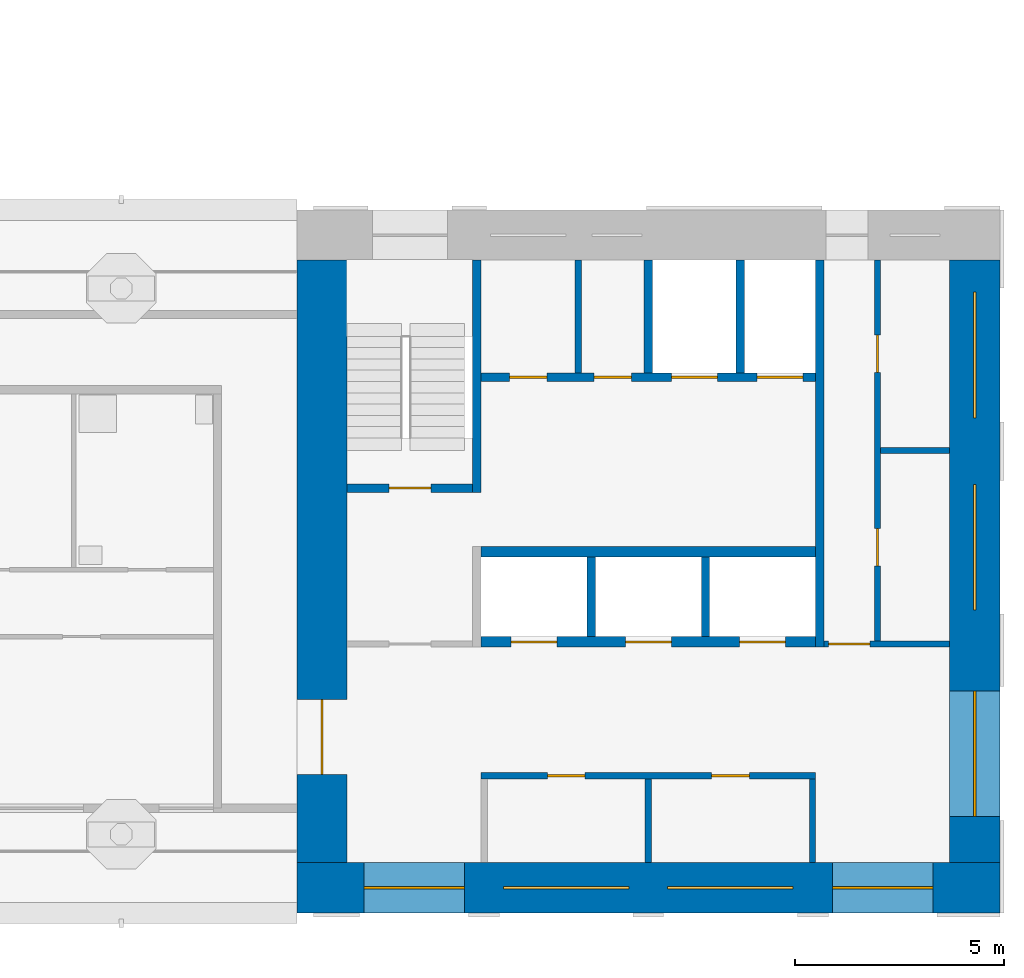
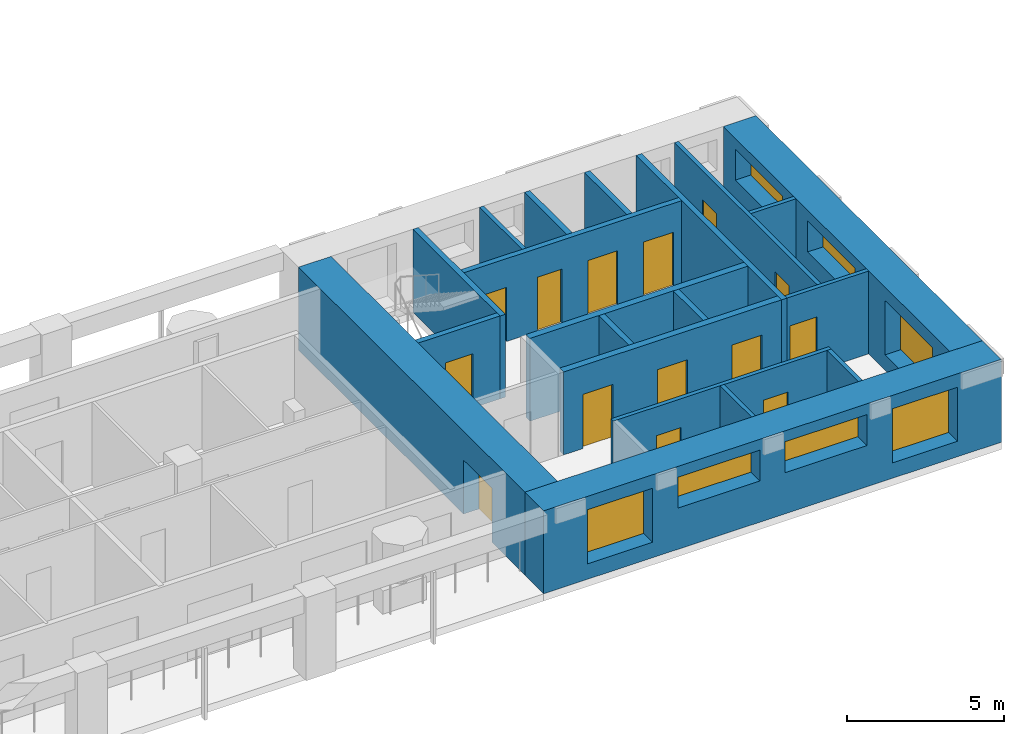
# One storey, part 4 of 11: 20 walls, 14 doors, 7 windows, 21 openings.
"""IFC4 building model written with IfcOpenShell, lengths in metres."""

from ifc_helpers import new_model, si_unit, direction, frame, frame_2d, origin, place, context, subcontext, project, spatial, rectangle, extrude, material, layer, layer_set, type_object, element, fill, save


model = new_model("IFC4")

# Units and contexts
model_context = context("Model", 3, precision=1e-05, world=origin(), true_north=direction((0.0, 1.0)))
body_context = subcontext(model_context, "Body", "Model", "MODEL_VIEW")
ifc_project = project(units=[si_unit("LENGTHUNIT", "METRE"), si_unit("AREAUNIT", "SQUARE_METRE"), si_unit("VOLUMEUNIT", "CUBIC_METRE"), si_unit("PLANEANGLEUNIT", "RADIAN"), si_unit("MASSUNIT", "GRAM", prefix="KILO")], contexts=[model_context])

# Site, building, storey
site_placement = place(None, origin())
site = spatial("IfcSite", under=ifc_project, at=site_placement, CompositionType="ELEMENT")
building_placement = place(site_placement, origin())
building = spatial("IfcBuilding", under=site, at=building_placement, Name="Vermilion Gate Residences", CompositionType="ELEMENT")
storey_placement = place(building_placement, frame((0.0, 0.0, 256.199951171875)))
storey = spatial("IfcBuildingStorey", under=building, at=storey_placement, Name="L67", CompositionType="ELEMENT", Elevation=256.199951171875)

# Walls
ifc_material_1 = material(Name="Masonry blockwork", Category="masonry")
ifc_layer_1 = layer(ifc_material_1, 0.14990234375)
ifc_layer_set_1 = layer_set([ifc_layer_1], Name="BLOCKWORK PARTITION 150 EI 120")
wall_type_1 = type_object("IfcWallType", Name="BLOCKWORK PARTITION 150 EI 120", PredefinedType="PARTITIONING", material=ifc_layer_set_1)
for number, where, z_axis, x_axis, name in (
    (1, (54.324951171875, 9.60009765625, 0.0), (0.0, 0.0, 1.0), (0.0, 1.0, 0.0), "Core room partition A67-RW-E"),
    (2, (50.39990234375, 9.60009765625, 0.0), (0.0, 0.0, 1.0), (0.0, 1.0, 0.0), "Core room partition A67-SR-P0"),
):
    element("IfcWall", number, at=place(storey_placement, frame(where, z_axis=z_axis, x_axis=x_axis)), inside=storey, type_object=wall_type_1, Name=name, PredefinedType="PARTITIONING", context=body_context, shape_type="SweptSolid", body=[
        extrude(rectangle(XDim=2.0, YDim=0.14990234375, at=frame_2d((1.0, 0.0))), origin(), (0.0, 0.0, 1.0), 3.219970703125),
    ])

# Wall, openings, doors
wall_1_placement = place(storey_placement, frame((46.39990234375, 11.675048828125, 0.0), z_axis=(0.0, 0.0, 1.0), x_axis=(1.0, 0.0, 0.0)))
wall_1 = element("IfcWall", 3, at=wall_1_placement, inside=storey, type_object=wall_type_1, Name="Core room partition A67-LR-F", PredefinedType="PARTITIONING", context=body_context, shape_type="SweptSolid", body=[
    extrude(rectangle(XDim=8.0, YDim=0.14990234375, at=frame_2d((4.0, 0.0))), origin(), (0.0, 0.0, 1.0), 3.219970703125),
])
opening_1_placement = place(wall_1_placement, frame((1.58740234375, 0.0, 0.0)))
opening_1 = element("IfcOpeningElement", 4, at=opening_1_placement, cuts=wall_1, Name="Opening DK67002", PredefinedType="OPENING", context=body_context, shape_type="SweptSolid", body=[
    extrude(rectangle(XDim=0.89990234375, YDim=2.10009765625, at=frame_2d((0.449951171875, 1.050048828125))), frame((0.0, 0.0849609375, 0.0), z_axis=(0.0, -1.0, 0.0), x_axis=(1.0, 0.0, 0.0)), (0.0, 0.0, 1.0), 0.169921875),
])
opening_2_placement = place(wall_1_placement, frame((5.512451171875, 0.0, 0.0)))
opening_2 = element("IfcOpeningElement", 5, at=opening_2_placement, cuts=wall_1, Name="Opening DK67003", PredefinedType="OPENING", context=body_context, shape_type="SweptSolid", body=[
    extrude(rectangle(XDim=0.89990234375, YDim=2.10009765625, at=frame_2d((0.449951171875, 1.050048828125))), frame((0.0, 0.0849609375, 0.0), z_axis=(0.0, -1.0, 0.0), x_axis=(1.0, 0.0, 0.0)), (0.0, 0.0, 1.0), 0.169921875),
])
ifc_material_2 = material(Name="Steel", Category="steel")
door_type_1 = type_object("IfcDoorType", Name="SERVICE ROOM DOOR FD60 900 X 2100", OperationType="SINGLE_SWING_LEFT", PredefinedType="DOOR", material=ifc_material_2)
door_1_placement = place(opening_1_placement, frame((0.89990234375, 0.0, 0.0), z_axis=(0.0, 0.0, 1.0), x_axis=(-1.0, 0.0, 0.0)))
door_1 = element("IfcDoor", 6, at=door_1_placement, inside=storey, type_object=door_type_1, Name="Housekeeping store A67", OperationType="SINGLE_SWING_RIGHT", OverallHeight=2.10009765625, OverallWidth=0.89990234375, PredefinedType="DOOR", context=body_context, shape_type="SweptSolid", body=[
    extrude(rectangle(XDim=0.89990234375, YDim=2.10009765625, at=frame_2d((0.449951171875, 1.050048828125))), frame((0.0, 0.02490234375, 0.0), z_axis=(0.0, -1.0, 0.0), x_axis=(1.0, 0.0, 0.0)), (0.0, 0.0, 1.0), 0.050048828125),
])
fill(opening_1, door_1)
door_2_placement = place(opening_2_placement, frame((0.89990234375, 0.0, 0.0), z_axis=(0.0, 0.0, 1.0), x_axis=(-1.0, 0.0, 0.0)))
door_2 = element("IfcDoor", 7, at=door_2_placement, inside=storey, type_object=door_type_1, Name="Fire equipment store A67", OperationType="SINGLE_SWING_RIGHT", OverallHeight=2.10009765625, OverallWidth=0.89990234375, PredefinedType="DOOR", context=body_context, shape_type="SweptSolid", body=[
    extrude(rectangle(XDim=0.89990234375, YDim=2.10009765625, at=frame_2d((0.449951171875, 1.050048828125))), frame((0.0, 0.02490234375, 0.0), z_axis=(0.0, -1.0, 0.0), x_axis=(1.0, 0.0, 0.0)), (0.0, 0.0, 1.0), 0.050048828125),
])
fill(opening_2, door_2)

# Wall
wall_2_placement = place(storey_placement, frame((48.72509765625, 21.300048828125, 0.0), z_axis=(0.0, 0.0, 1.0), x_axis=(0.0, 1.0, 0.0)))
element("IfcWall", 8, at=wall_2_placement, inside=storey, type_object=wall_type_1, Name="Core room partition A67-NR-P0", PredefinedType="PARTITIONING", context=body_context, shape_type="SweptSolid", body=[
    extrude(rectangle(XDim=2.699951171875, YDim=0.14990234375, at=frame_2d((1.35009765625, 0.0))), origin(), (0.0, 0.0, 1.0), 3.219970703125),
])

# Wall, opening, door
wall_3_placement = place(storey_placement, frame((54.60009765625, 14.824951171875, 0.0), z_axis=(0.0, 0.0, 1.0), x_axis=(1.0, 0.0, 0.0)))
wall_3 = element("IfcWall", 9, at=wall_3_placement, inside=storey, type_object=wall_type_1, Name="Core room partition A67-ES-S", PredefinedType="PARTITIONING", context=body_context, shape_type="SweptSolid", body=[
    extrude(rectangle(XDim=3.0, YDim=0.14990234375, at=frame_2d((1.5, 0.0))), origin(), (0.0, 0.0, 1.0), 3.219970703125),
])
opening_3_placement = place(wall_3_placement, frame((0.10009765625, 0.0, 0.0)))
opening_3 = element("IfcOpeningElement", 10, at=opening_3_placement, cuts=wall_3, Name="Opening DK67013", PredefinedType="OPENING", context=body_context, shape_type="SweptSolid", body=[
    extrude(rectangle(XDim=1.0, YDim=2.10009765625, at=frame_2d((0.5, 1.050048828125))), frame((0.0, 0.0849609375, 0.0), z_axis=(0.0, -1.0, 0.0), x_axis=(1.0, 0.0, 0.0)), (0.0, 0.0, 1.0), 0.169921875),
])
ifc_material_3 = material(Name="Steel", Category="steel")
door_type_2 = type_object("IfcDoorType", Name="FIRE DOOR FD60 1000 X 2100", OperationType="SINGLE_SWING_LEFT", PredefinedType="DOOR", material=ifc_material_3)
door_3_placement = place(opening_3_placement, frame((1.0, 0.0, 0.0), z_axis=(0.0, 0.0, 1.0), x_axis=(-1.0, 0.0, 0.0)))
door_3 = element("IfcDoor", 11, at=door_3_placement, inside=storey, type_object=door_type_2, Name="Service corridor door A67", OperationType="SINGLE_SWING_LEFT", OverallHeight=2.10009765625, OverallWidth=1.0, PredefinedType="DOOR", context=body_context, shape_type="SweptSolid", body=[
    extrude(rectangle(XDim=1.0, YDim=2.10009765625, at=frame_2d((0.5, 1.050048828125))), frame((0.0, 0.02490234375, 0.0), z_axis=(0.0, -1.0, 0.0), x_axis=(1.0, 0.0, 0.0)), (0.0, 0.0, 1.0), 0.050048828125),
])
fill(opening_3, door_3)

# Wall
wall_4_placement = place(storey_placement, frame((55.949951171875, 19.449951171875, 0.0), z_axis=(0.0, 0.0, 1.0), x_axis=(1.0, 0.0, 0.0)))
element("IfcWall", 12, at=wall_4_placement, inside=storey, type_object=wall_type_1, Name="Core room partition A67-ES-P0", PredefinedType="PARTITIONING", context=body_context, shape_type="SweptSolid", body=[
    extrude(rectangle(XDim=1.650146484375, YDim=0.14990234375, at=frame_2d((0.8251953125, 0.0))), origin(), (0.0, 0.0, 1.0), 3.219970703125),
])

# Wall, openings, doors
wall_5_placement = place(storey_placement, frame((55.875, 14.89990234375, 0.0), z_axis=(0.0, 0.0, 1.0), x_axis=(0.0, 1.0, 0.0)))
wall_5 = element("IfcWall", 13, at=wall_5_placement, inside=storey, type_object=wall_type_1, Name="Core room partition A67-ES-W", PredefinedType="PARTITIONING", context=body_context, shape_type="SweptSolid", body=[
    extrude(rectangle(XDim=9.10009765625, YDim=0.14990234375, at=frame_2d((4.550048828125, 0.0))), origin(), (0.0, 0.0, 1.0), 3.219970703125),
])
opening_4_placement = place(wall_5_placement, frame((1.78759765625, 0.0, 0.0)))
opening_4 = element("IfcOpeningElement", 14, at=opening_4_placement, cuts=wall_5, Name="Opening DK67014", PredefinedType="OPENING", context=body_context, shape_type="SweptSolid", body=[
    extrude(rectangle(XDim=0.89990234375, YDim=2.10009765625, at=frame_2d((0.449951171875, 1.050048828125))), frame((0.0, 0.0849609375, 0.0), z_axis=(0.0, -1.0, 0.0), x_axis=(1.0, 0.0, 0.0)), (0.0, 0.0, 1.0), 0.169921875),
])
opening_5_placement = place(wall_5_placement, frame((6.41259765625, 0.0, 0.0)))
opening_5 = element("IfcOpeningElement", 15, at=opening_5_placement, cuts=wall_5, Name="Opening DK67015", PredefinedType="OPENING", context=body_context, shape_type="SweptSolid", body=[
    extrude(rectangle(XDim=0.89990234375, YDim=2.10009765625, at=frame_2d((0.449951171875, 1.050048828125))), frame((0.0, 0.0849609375, 0.0), z_axis=(0.0, -1.0, 0.0), x_axis=(1.0, 0.0, 0.0)), (0.0, 0.0, 1.0), 0.169921875),
])
door_4_placement = place(opening_4_placement, frame((0.89990234375, 0.0, 0.0), z_axis=(0.0, 0.0, 1.0), x_axis=(-1.0, 0.0, 0.0)))
door_4 = element("IfcDoor", 16, at=door_4_placement, inside=storey, type_object=door_type_1, Name="Electrical room A67", OperationType="SINGLE_SWING_RIGHT", OverallHeight=2.10009765625, OverallWidth=0.89990234375, PredefinedType="DOOR", context=body_context, shape_type="SweptSolid", body=[
    extrude(rectangle(XDim=0.89990234375, YDim=2.10009765625, at=frame_2d((0.449951171875, 1.050048828125))), frame((0.0, 0.02490234375, 0.0), z_axis=(0.0, -1.0, 0.0), x_axis=(1.0, 0.0, 0.0)), (0.0, 0.0, 1.0), 0.050048828125),
])
fill(opening_4, door_4)
door_5_placement = place(opening_5_placement, frame((0.89990234375, 0.0, 0.0), z_axis=(0.0, 0.0, 1.0), x_axis=(-1.0, 0.0, 0.0)))
door_5 = element("IfcDoor", 17, at=door_5_placement, inside=storey, type_object=door_type_1, Name="Storage room A67", OperationType="SINGLE_SWING_RIGHT", OverallHeight=2.10009765625, OverallWidth=0.89990234375, PredefinedType="DOOR", context=body_context, shape_type="SweptSolid", body=[
    extrude(rectangle(XDim=0.89990234375, YDim=2.10009765625, at=frame_2d((0.449951171875, 1.050048828125))), frame((0.0, 0.02490234375, 0.0), z_axis=(0.0, -1.0, 0.0), x_axis=(1.0, 0.0, 0.0)), (0.0, 0.0, 1.0), 0.050048828125),
])
fill(opening_5, door_5)

# Walls
ifc_material_4 = material(Name="Concrete C60", Category="concrete")
ifc_layer_2 = layer(ifc_material_4, 0.199951171875)
ifc_layer_set_2 = layer_set([ifc_layer_2], Name="RC CORE INTERNAL WALL 200 C60")
wall_type_2 = type_object("IfcWallType", Name="RC CORE INTERNAL WALL 200 C60", PredefinedType="SHEAR", material=ifc_layer_set_2)
for number, where, z_axis, x_axis, name in (
    (18, (49.033447265625, 15.0, 0.0), (0.0, 0.0, 1.0), (0.0, 1.0, 0.0), "Core internal wall A67-HR-D1"),
    (19, (51.7666015625, 15.0, 0.0), (0.0, 0.0, 1.0), (0.0, 1.0, 0.0), "Core internal wall A67-HR-D2"),
):
    element("IfcWall", number, at=place(storey_placement, frame(where, z_axis=z_axis, x_axis=x_axis)), inside=storey, type_object=wall_type_2, Name=name, PredefinedType="SHEAR", context=body_context, shape_type="SweptSolid", body=[
        extrude(rectangle(XDim=1.89990234375, YDim=0.199951171875, at=frame_2d((0.949951171875, 0.0))), origin(), (0.0, 0.0, 1.0), 3.219970703125),
    ])
for number, where, z_axis, x_axis, name in (
    (20, (50.39990234375, 21.300048828125, 0.0), (0.0, 0.0, 1.0), (0.0, 1.0, 0.0), "Core internal wall A67-FF-D0"),
    (21, (52.60009765625, 21.300048828125, 0.0), (0.0, 0.0, 1.0), (0.0, 1.0, 0.0), "Core internal wall A67-FF-D1"),
):
    element("IfcWall", number, at=place(storey_placement, frame(where, z_axis=z_axis, x_axis=x_axis)), inside=storey, type_object=wall_type_2, Name=name, PredefinedType="SHEAR", context=body_context, shape_type="SweptSolid", body=[
        extrude(rectangle(XDim=2.699951171875, YDim=0.199951171875, at=frame_2d((1.35009765625, 0.0))), origin(), (0.0, 0.0, 1.0), 3.219970703125),
    ])

# Wall, openings, doors
wall_6_placement = place(storey_placement, frame((46.39990234375, 21.199951171875, 0.0), z_axis=(0.0, 0.0, 1.0), x_axis=(1.0, 0.0, 0.0)))
wall_6 = element("IfcWall", 22, at=wall_6_placement, inside=storey, type_object=wall_type_2, Name="Core internal wall A67-FF-F", PredefinedType="SHEAR", context=body_context, shape_type="SweptSolid", body=[
    extrude(rectangle(XDim=8.0, YDim=0.199951171875, at=frame_2d((4.0, 0.0))), origin(), (0.0, 0.0, 1.0), 3.219970703125),
])
opening_6_placement = place(wall_6_placement, frame((0.675048828125, 0.0, 0.0)))
opening_6 = element("IfcOpeningElement", 23, at=opening_6_placement, cuts=wall_6, Name="Opening DK67007", PredefinedType="OPENING", context=body_context, shape_type="SweptSolid", body=[
    extrude(rectangle(XDim=0.89990234375, YDim=2.10009765625, at=frame_2d((0.449951171875, 1.050048828125))), frame((0.0, 0.10986328125, 0.0), z_axis=(0.0, -1.0, 0.0), x_axis=(1.0, 0.0, 0.0)), (0.0, 0.0, 1.0), 0.219970703125),
])
opening_7_placement = place(wall_6_placement, frame((2.699951171875, 0.0, 0.0)))
opening_7 = element("IfcOpeningElement", 24, at=opening_7_placement, cuts=wall_6, Name="Opening DK67008", PredefinedType="OPENING", context=body_context, shape_type="SweptSolid", body=[
    extrude(rectangle(XDim=0.89990234375, YDim=2.10009765625, at=frame_2d((0.449951171875, 1.050048828125))), frame((0.0, 0.10986328125, 0.0), z_axis=(0.0, -1.0, 0.0), x_axis=(1.0, 0.0, 0.0)), (0.0, 0.0, 1.0), 0.219970703125),
])
opening_8_placement = place(wall_6_placement, frame((4.550048828125, 0.0, 0.0)))
opening_8 = element("IfcOpeningElement", 25, at=opening_8_placement, cuts=wall_6, Name="Opening LD", PredefinedType="OPENING", context=body_context, shape_type="SweptSolid", body=[
    extrude(rectangle(XDim=1.10009765625, YDim=2.10009765625, at=frame_2d((0.550048828125, 1.050048828125))), frame((0.0, 0.10986328125, 0.0), z_axis=(0.0, -1.0, 0.0), x_axis=(1.0, 0.0, 0.0)), (0.0, 0.0, 1.0), 0.219970703125),
])
opening_9_placement = place(wall_6_placement, frame((6.60009765625, 0.0, 0.0)))
opening_9 = element("IfcOpeningElement", 26, at=opening_9_placement, cuts=wall_6, Name="Opening LD", PredefinedType="OPENING", context=body_context, shape_type="SweptSolid", body=[
    extrude(rectangle(XDim=1.10009765625, YDim=2.10009765625, at=frame_2d((0.550048828125, 1.050048828125))), frame((0.0, 0.10986328125, 0.0), z_axis=(0.0, -1.0, 0.0), x_axis=(1.0, 0.0, 0.0)), (0.0, 0.0, 1.0), 0.219970703125),
])
ifc_material_5 = material(Name="Stainless steel", Category="steel")
door_type_3 = type_object("IfcDoorType", Name="LIFT LANDING DOOR E60 1100 X 2100", OperationType="DOUBLE_DOOR_SLIDING", PredefinedType="DOOR", material=ifc_material_5)
door_6_placement = place(opening_8_placement, origin())
door_6 = element("IfcDoor", 27, at=door_6_placement, inside=storey, type_object=door_type_3, Name="Lift landing door LFA1", OperationType="DOUBLE_DOOR_SLIDING", OverallHeight=2.10009765625, OverallWidth=1.10009765625, PredefinedType="DOOR", context=body_context, shape_type="SweptSolid", body=[
    extrude(rectangle(XDim=1.10009765625, YDim=2.10009765625, at=frame_2d((0.550048828125, 1.050048828125))), frame((0.0, 0.02490234375, 0.0), z_axis=(0.0, -1.0, 0.0), x_axis=(1.0, 0.0, 0.0)), (0.0, 0.0, 1.0), 0.050048828125),
])
fill(opening_8, door_6)
door_7_placement = place(opening_9_placement, origin())
door_7 = element("IfcDoor", 28, at=door_7_placement, inside=storey, type_object=door_type_3, Name="Lift landing door LCA1", OperationType="DOUBLE_DOOR_SLIDING", OverallHeight=2.10009765625, OverallWidth=1.10009765625, PredefinedType="DOOR", context=body_context, shape_type="SweptSolid", body=[
    extrude(rectangle(XDim=1.10009765625, YDim=2.10009765625, at=frame_2d((0.550048828125, 1.050048828125))), frame((0.0, 0.02490234375, 0.0), z_axis=(0.0, -1.0, 0.0), x_axis=(1.0, 0.0, 0.0)), (0.0, 0.0, 1.0), 0.050048828125),
])
fill(opening_9, door_7)
door_8_placement = place(opening_6_placement, origin())
door_8 = element("IfcDoor", 29, at=door_8_placement, inside=storey, type_object=door_type_1, Name="Parcel room A67", OperationType="SINGLE_SWING_LEFT", OverallHeight=2.10009765625, OverallWidth=0.89990234375, PredefinedType="DOOR", context=body_context, shape_type="SweptSolid", body=[
    extrude(rectangle(XDim=0.89990234375, YDim=2.10009765625, at=frame_2d((0.449951171875, 1.050048828125))), frame((0.0, 0.02490234375, 0.0), z_axis=(0.0, -1.0, 0.0), x_axis=(1.0, 0.0, 0.0)), (0.0, 0.0, 1.0), 0.050048828125),
])
fill(opening_6, door_8)
door_9_placement = place(opening_7_placement, frame((0.89990234375, 0.0, 0.0), z_axis=(0.0, 0.0, 1.0), x_axis=(-1.0, 0.0, 0.0)))
door_9 = element("IfcDoor", 30, at=door_9_placement, inside=storey, type_object=door_type_1, Name="Electrical room A67", OperationType="SINGLE_SWING_RIGHT", OverallHeight=2.10009765625, OverallWidth=0.89990234375, PredefinedType="DOOR", context=body_context, shape_type="SweptSolid", body=[
    extrude(rectangle(XDim=0.89990234375, YDim=2.10009765625, at=frame_2d((0.449951171875, 1.050048828125))), frame((0.0, 0.02490234375, 0.0), z_axis=(0.0, -1.0, 0.0), x_axis=(1.0, 0.0, 0.0)), (0.0, 0.0, 1.0), 0.050048828125),
])
fill(opening_7, door_9)

# Wall
wall_7_placement = place(storey_placement, frame((46.300048828125, 18.449951171875, 0.0), z_axis=(0.0, 0.0, 1.0), x_axis=(0.0, 1.0, 0.0)))
element("IfcWall", 31, at=wall_7_placement, inside=storey, type_object=wall_type_2, Name="Core internal wall A67-WDIV2", PredefinedType="SHEAR", context=body_context, shape_type="SweptSolid", body=[
    extrude(rectangle(XDim=5.550048828125, YDim=0.199951171875, at=frame_2d((2.77490234375, 0.0))), origin(), (0.0, 0.0, 1.0), 3.219970703125),
])

# Wall, opening, door
wall_8_placement = place(storey_placement, frame((43.199951171875, 18.550048828125, 0.0), z_axis=(0.0, 0.0, 1.0), x_axis=(1.0, 0.0, 0.0)))
wall_8 = element("IfcWall", 32, at=wall_8_placement, inside=storey, type_object=wall_type_2, Name="Core internal wall A67-STW-S", PredefinedType="SHEAR", context=body_context, shape_type="SweptSolid", body=[
    extrude(rectangle(XDim=3.0, YDim=0.199951171875, at=frame_2d((1.5, 0.0))), origin(), (0.0, 0.0, 1.0), 3.219970703125),
])
opening_10_placement = place(wall_8_placement, frame((1.0, 0.0, 0.0)))
opening_10 = element("IfcOpeningElement", 33, at=opening_10_placement, cuts=wall_8, Name="Opening DK67012", PredefinedType="OPENING", context=body_context, shape_type="SweptSolid", body=[
    extrude(rectangle(XDim=1.0, YDim=2.10009765625, at=frame_2d((0.5, 1.050048828125))), frame((0.0, 0.10986328125, 0.0), z_axis=(0.0, -1.0, 0.0), x_axis=(1.0, 0.0, 0.0)), (0.0, 0.0, 1.0), 0.219970703125),
])
door_10_placement = place(opening_10_placement, origin())
door_10 = element("IfcDoor", 34, at=door_10_placement, inside=storey, type_object=door_type_2, Name="Stair door A67", OperationType="SINGLE_SWING_LEFT", OverallHeight=2.10009765625, OverallWidth=1.0, PredefinedType="DOOR", context=body_context, shape_type="SweptSolid", body=[
    extrude(rectangle(XDim=1.0, YDim=2.10009765625, at=frame_2d((0.5, 1.050048828125))), frame((0.0, 0.02490234375, 0.0), z_axis=(0.0, -1.0, 0.0), x_axis=(1.0, 0.0, 0.0)), (0.0, 0.0, 1.0), 0.050048828125),
])
fill(opening_10, door_10)

# Wall
wall_9_placement = place(storey_placement, frame((54.5, 14.75, 0.0), z_axis=(0.0, 0.0, 1.0), x_axis=(0.0, 1.0, 0.0)))
element("IfcWall", 35, at=wall_9_placement, inside=storey, type_object=wall_type_2, Name="Core internal wall A67-EDIV", PredefinedType="SHEAR", context=body_context, shape_type="SweptSolid", body=[
    extrude(rectangle(XDim=9.25, YDim=0.199951171875, at=frame_2d((4.625, 0.0))), origin(), (0.0, 0.0, 1.0), 3.219970703125),
])

# Wall, opening, door
ifc_material_6 = material(Name="Concrete C50", Category="concrete")
ifc_layer_3 = layer(ifc_material_6, 1.199951171875)
ifc_layer_set_3 = layer_set([ifc_layer_3], Name="RC CORE WALL 1200 C50")
wall_type_3 = type_object("IfcWallType", Name="RC CORE WALL 1200 C50", PredefinedType="SHEAR", material=ifc_layer_set_3)
wall_10_placement = place(storey_placement, frame((42.60009765625, 9.60009765625, 0.0), z_axis=(0.0, 0.0, 1.0), x_axis=(0.0, 1.0, 0.0)))
wall_10 = element("IfcWall", 36, at=wall_10_placement, inside=storey, type_object=wall_type_3, Name="Core wall A67-OUT-FR", PredefinedType="SHEAR", context=body_context, shape_type="SweptSolid", body=[
    extrude(rectangle(XDim=14.39990234375, YDim=1.199951171875, at=frame_2d((7.199951171875, 0.0))), origin(), (0.0, 0.0, 1.0), 3.219970703125),
])
opening_11_placement = place(wall_10_placement, frame((2.10009765625, 0.0, 0.0)))
opening_11 = element("IfcOpeningElement", 37, at=opening_11_placement, cuts=wall_10, Name="Opening DK67001", PredefinedType="OPENING", context=body_context, shape_type="SweptSolid", body=[
    extrude(rectangle(XDim=1.800048828125, YDim=2.10009765625, at=frame_2d((0.89990234375, 1.050048828125))), frame((0.0, 0.60986328125, 0.0), z_axis=(0.0, -1.0, 0.0), x_axis=(1.0, 0.0, 0.0)), (0.0, 0.0, 1.0), 1.219970703125),
])
ifc_material_7 = material(Name="Steel", Category="steel")
door_type_4 = type_object("IfcDoorType", Name="CORE LOBBY DOOR FD60 1800 X 2100", OperationType="DOUBLE_DOOR_SINGLE_SWING", PredefinedType="DOOR", material=ifc_material_7)
door_11_placement = place(opening_11_placement, frame((1.800048828125, 0.0, 0.0), z_axis=(0.0, 0.0, 1.0), x_axis=(-1.0, 0.0, 0.0)))
door_11 = element("IfcDoor", 38, at=door_11_placement, inside=storey, type_object=door_type_4, Name="Core lobby door A67", OperationType="DOUBLE_DOOR_SINGLE_SWING", OverallHeight=2.10009765625, OverallWidth=1.800048828125, PredefinedType="DOOR", context=body_context, shape_type="SweptSolid", body=[
    extrude(rectangle(XDim=1.800048828125, YDim=2.10009765625, at=frame_2d((0.89990234375, 1.050048828125))), frame((0.0, 0.02490234375, 0.0), z_axis=(0.0, -1.0, 0.0), x_axis=(1.0, 0.0, 0.0)), (0.0, 0.0, 1.0), 0.050048828125),
])
fill(opening_11, door_11)

# Wall, openings, windows
ifc_material_8 = material(Name="Concrete C50 red-oxide pigmented", Category="concrete")
ifc_layer_4 = layer(ifc_material_8, 1.199951171875)
ifc_layer_set_4 = layer_set([ifc_layer_4], Name="RC CORE WALL 1200 C50 RED OXIDE")
wall_type_4 = type_object("IfcWallType", Name="RC CORE WALL 1200 C50 RED OXIDE", PredefinedType="SHEAR", material=ifc_layer_set_4)
wall_11_placement = place(storey_placement, frame((42.0, 9.0, 0.0), z_axis=(0.0, 0.0, 1.0), x_axis=(1.0, 0.0, 0.0)))
wall_11 = element("IfcWall", 39, at=wall_11_placement, inside=storey, type_object=wall_type_4, Name="Core wall A67-OUT-B0", PredefinedType="SHEAR", context=body_context, shape_type="SweptSolid", body=[
    extrude(rectangle(XDim=16.800048828125, YDim=1.199951171875, at=frame_2d((8.39990234375, 0.0))), origin(), (0.0, 0.0, 1.0), 3.219970703125),
])
opening_12_placement = place(wall_11_placement, frame((1.60009765625, 0.0, 0.60009765625)))
opening_12 = element("IfcOpeningElement", 40, at=opening_12_placement, cuts=wall_11, Name="Opening WKA6701", PredefinedType="OPENING", context=body_context, shape_type="SweptSolid", body=[
    extrude(rectangle(XDim=2.39990234375, YDim=2.10009765625, at=frame_2d((1.199951171875, 1.050048828125))), frame((0.0, 0.60986328125, 0.0), z_axis=(0.0, -1.0, 0.0), x_axis=(1.0, 0.0, 0.0)), (0.0, 0.0, 1.0), 1.219970703125),
])
opening_13_placement = place(wall_11_placement, frame((4.9375, 0.0, 1.60009765625)))
opening_13 = element("IfcOpeningElement", 41, at=opening_13_placement, cuts=wall_11, Name="Opening WKA6702", PredefinedType="OPENING", context=body_context, shape_type="SweptSolid", body=[
    extrude(rectangle(XDim=3.0, YDim=1.199951171875, at=frame_2d((1.5, 0.60009765625))), frame((0.0, 0.60986328125, 0.0), z_axis=(0.0, -1.0, 0.0), x_axis=(1.0, 0.0, 0.0)), (0.0, 0.0, 1.0), 1.219970703125),
])
opening_14_placement = place(wall_11_placement, frame((8.862548828125, 0.0, 1.60009765625)))
opening_14 = element("IfcOpeningElement", 42, at=opening_14_placement, cuts=wall_11, Name="Opening WKA6703", PredefinedType="OPENING", context=body_context, shape_type="SweptSolid", body=[
    extrude(rectangle(XDim=3.0, YDim=1.199951171875, at=frame_2d((1.5, 0.60009765625))), frame((0.0, 0.60986328125, 0.0), z_axis=(0.0, -1.0, 0.0), x_axis=(1.0, 0.0, 0.0)), (0.0, 0.0, 1.0), 1.219970703125),
])
opening_15_placement = place(wall_11_placement, frame((12.800048828125, 0.0, 0.60009765625)))
opening_15 = element("IfcOpeningElement", 43, at=opening_15_placement, cuts=wall_11, Name="Opening WKA6704", PredefinedType="OPENING", context=body_context, shape_type="SweptSolid", body=[
    extrude(rectangle(XDim=2.39990234375, YDim=2.10009765625, at=frame_2d((1.199951171875, 1.050048828125))), frame((0.0, 0.60986328125, 0.0), z_axis=(0.0, -1.0, 0.0), x_axis=(1.0, 0.0, 0.0)), (0.0, 0.0, 1.0), 1.219970703125),
])
ifc_material_9 = material(Name="Aluminium and clear glass", Category="aluminium")
window_type_1 = type_object("IfcWindowType", Name="CORE LOBBY WINDOW 2400 X 2100", PartitioningType="SINGLE_PANEL", PredefinedType="WINDOW", material=ifc_material_9)
window_1_placement = place(opening_12_placement, origin())
window_1 = element("IfcWindow", 44, at=window_1_placement, inside=storey, type_object=window_type_1, Name="Core lobby window", OverallHeight=2.10009765625, OverallWidth=2.39990234375, PartitioningType="SINGLE_PANEL", PredefinedType="WINDOW", context=body_context, shape_type="SweptSolid", body=[
    extrude(rectangle(XDim=2.39990234375, YDim=2.10009765625, at=frame_2d((1.199951171875, 1.050048828125))), frame((0.0, 0.030029296875, 0.0), z_axis=(0.0, -1.0, 0.0), x_axis=(1.0, 0.0, 0.0)), (0.0, 0.0, 1.0), 0.06005859375),
])
fill(opening_12, window_1)
window_2_placement = place(opening_15_placement, origin())
window_2 = element("IfcWindow", 45, at=window_2_placement, inside=storey, type_object=window_type_1, Name="Core lobby window", OverallHeight=2.10009765625, OverallWidth=2.39990234375, PartitioningType="SINGLE_PANEL", PredefinedType="WINDOW", context=body_context, shape_type="SweptSolid", body=[
    extrude(rectangle(XDim=2.39990234375, YDim=2.10009765625, at=frame_2d((1.199951171875, 1.050048828125))), frame((0.0, 0.030029296875, 0.0), z_axis=(0.0, -1.0, 0.0), x_axis=(1.0, 0.0, 0.0)), (0.0, 0.0, 1.0), 0.06005859375),
])
fill(opening_15, window_2)
ifc_material_10 = material(Name="Aluminium frame with louvre blades", Category="aluminium")
window_type_2 = type_object("IfcWindowType", Name="CORE LOUVRE 3000 X 1200", PartitioningType="SINGLE_PANEL", PredefinedType="WINDOW", material=ifc_material_10)
window_3_placement = place(opening_13_placement, origin())
window_3 = element("IfcWindow", 46, at=window_3_placement, inside=storey, type_object=window_type_2, Name="Core louvre", OverallHeight=1.199951171875, OverallWidth=3.0, PartitioningType="SINGLE_PANEL", PredefinedType="WINDOW", context=body_context, shape_type="SweptSolid", body=[
    extrude(rectangle(XDim=3.0, YDim=1.199951171875, at=frame_2d((1.5, 0.60009765625))), frame((0.0, 0.030029296875, 0.0), z_axis=(0.0, -1.0, 0.0), x_axis=(1.0, 0.0, 0.0)), (0.0, 0.0, 1.0), 0.06005859375),
])
fill(opening_13, window_3)
window_4_placement = place(opening_14_placement, origin())
window_4 = element("IfcWindow", 47, at=window_4_placement, inside=storey, type_object=window_type_2, Name="Core louvre", OverallHeight=1.199951171875, OverallWidth=3.0, PartitioningType="SINGLE_PANEL", PredefinedType="WINDOW", context=body_context, shape_type="SweptSolid", body=[
    extrude(rectangle(XDim=3.0, YDim=1.199951171875, at=frame_2d((1.5, 0.60009765625))), frame((0.0, 0.030029296875, 0.0), z_axis=(0.0, -1.0, 0.0), x_axis=(1.0, 0.0, 0.0)), (0.0, 0.0, 1.0), 0.06005859375),
])
fill(opening_14, window_4)

wall_12_placement = place(storey_placement, frame((58.199951171875, 9.60009765625, 0.0), z_axis=(0.0, 0.0, 1.0), x_axis=(0.0, 1.0, 0.0)))
wall_12 = element("IfcWall", 48, at=wall_12_placement, inside=storey, type_object=wall_type_4, Name="Core wall A67-OUT-BK", PredefinedType="SHEAR", context=body_context, shape_type="SweptSolid", body=[
    extrude(rectangle(XDim=14.39990234375, YDim=1.199951171875, at=frame_2d((7.199951171875, 0.0))), origin(), (0.0, 0.0, 1.0), 3.219970703125),
])
opening_16_placement = place(wall_12_placement, frame((1.10498046875, 0.0, 0.60009765625)))
opening_16 = element("IfcOpeningElement", 49, at=opening_16_placement, cuts=wall_12, Name="Opening WKA6710", PredefinedType="OPENING", context=body_context, shape_type="SweptSolid", body=[
    extrude(rectangle(XDim=3.0, YDim=2.10009765625, at=frame_2d((1.5, 1.050048828125))), frame((0.0, 0.60986328125, 0.0), z_axis=(0.0, -1.0, 0.0), x_axis=(1.0, 0.0, 0.0)), (0.0, 0.0, 1.0), 1.219970703125),
])
opening_17_placement = place(wall_12_placement, frame((6.03759765625, 0.0, 1.60009765625)))
opening_17 = element("IfcOpeningElement", 50, at=opening_17_placement, cuts=wall_12, Name="Opening WKA6711", PredefinedType="OPENING", context=body_context, shape_type="SweptSolid", body=[
    extrude(rectangle(XDim=3.0, YDim=1.199951171875, at=frame_2d((1.5, 0.60009765625))), frame((0.0, 0.60986328125, 0.0), z_axis=(0.0, -1.0, 0.0), x_axis=(1.0, 0.0, 0.0)), (0.0, 0.0, 1.0), 1.219970703125),
])
opening_18_placement = place(wall_12_placement, frame((10.632568359375, 0.0, 1.60009765625)))
opening_18 = element("IfcOpeningElement", 51, at=opening_18_placement, cuts=wall_12, Name="Opening WKA6712", PredefinedType="OPENING", context=body_context, shape_type="SweptSolid", body=[
    extrude(rectangle(XDim=3.0, YDim=1.199951171875, at=frame_2d((1.5, 0.60009765625))), frame((0.0, 0.60986328125, 0.0), z_axis=(0.0, -1.0, 0.0), x_axis=(1.0, 0.0, 0.0)), (0.0, 0.0, 1.0), 1.219970703125),
])
ifc_material_11 = material(Name="Aluminium and clear glass", Category="aluminium")
window_type_3 = type_object("IfcWindowType", Name="CORE LOBBY WINDOW 3000 X 2100", PartitioningType="SINGLE_PANEL", PredefinedType="WINDOW", material=ifc_material_11)
window_5_placement = place(opening_16_placement, origin())
window_5 = element("IfcWindow", 52, at=window_5_placement, inside=storey, type_object=window_type_3, Name="Core lobby window", OverallHeight=2.10009765625, OverallWidth=3.0, PartitioningType="SINGLE_PANEL", PredefinedType="WINDOW", context=body_context, shape_type="SweptSolid", body=[
    extrude(rectangle(XDim=3.0, YDim=2.10009765625, at=frame_2d((1.5, 1.050048828125))), frame((0.0, 0.030029296875, 0.0), z_axis=(0.0, -1.0, 0.0), x_axis=(1.0, 0.0, 0.0)), (0.0, 0.0, 1.0), 0.06005859375),
])
fill(opening_16, window_5)
window_6_placement = place(opening_17_placement, origin())
window_6 = element("IfcWindow", 53, at=window_6_placement, inside=storey, type_object=window_type_2, Name="Core louvre", OverallHeight=1.199951171875, OverallWidth=3.0, PartitioningType="SINGLE_PANEL", PredefinedType="WINDOW", context=body_context, shape_type="SweptSolid", body=[
    extrude(rectangle(XDim=3.0, YDim=1.199951171875, at=frame_2d((1.5, 0.60009765625))), frame((0.0, 0.030029296875, 0.0), z_axis=(0.0, -1.0, 0.0), x_axis=(1.0, 0.0, 0.0)), (0.0, 0.0, 1.0), 0.06005859375),
])
fill(opening_17, window_6)
window_7_placement = place(opening_18_placement, origin())
window_7 = element("IfcWindow", 54, at=window_7_placement, inside=storey, type_object=window_type_2, Name="Core louvre", OverallHeight=1.199951171875, OverallWidth=3.0, PartitioningType="SINGLE_PANEL", PredefinedType="WINDOW", context=body_context, shape_type="SweptSolid", body=[
    extrude(rectangle(XDim=3.0, YDim=1.199951171875, at=frame_2d((1.5, 0.60009765625))), frame((0.0, 0.030029296875, 0.0), z_axis=(0.0, -1.0, 0.0), x_axis=(1.0, 0.0, 0.0)), (0.0, 0.0, 1.0), 0.06005859375),
])
fill(opening_18, window_7)

# Wall, openings, doors
ifc_material_12 = material(Name="Concrete C60", Category="concrete")
ifc_layer_5 = layer(ifc_material_12, 0.25)
ifc_layer_set_5 = layer_set([ifc_layer_5], Name="RC LIFT SHAFT WALL 250 C60")
wall_type_5 = type_object("IfcWallType", Name="RC LIFT SHAFT WALL 250 C60", PredefinedType="SHEAR", material=ifc_layer_set_5)
wall_13_placement = place(storey_placement, frame((46.39990234375, 14.875, 0.0), z_axis=(0.0, 0.0, 1.0), x_axis=(1.0, 0.0, 0.0)))
wall_13 = element("IfcWall", 55, at=wall_13_placement, inside=storey, type_object=wall_type_5, Name="Lift shaft wall A67-HR-F", PredefinedType="SHEAR", context=body_context, shape_type="SweptSolid", body=[
    extrude(rectangle(XDim=8.0, YDim=0.25, at=frame_2d((4.0, 0.0))), origin(), (0.0, 0.0, 1.0), 3.219970703125),
])
opening_19_placement = place(wall_13_placement, frame((0.716552734375, 0.0, 0.0)))
opening_19 = element("IfcOpeningElement", 56, at=opening_19_placement, cuts=wall_13, Name="Opening LD", PredefinedType="OPENING", context=body_context, shape_type="SweptSolid", body=[
    extrude(rectangle(XDim=1.10009765625, YDim=2.10009765625, at=frame_2d((0.550048828125, 1.050048828125))), frame((0.0, 0.135009765625, 0.0), z_axis=(0.0, -1.0, 0.0), x_axis=(1.0, 0.0, 0.0)), (0.0, 0.0, 1.0), 0.27001953125),
])
opening_20_placement = place(wall_13_placement, frame((3.449951171875, 0.0, 0.0)))
opening_20 = element("IfcOpeningElement", 57, at=opening_20_placement, cuts=wall_13, Name="Opening LD", PredefinedType="OPENING", context=body_context, shape_type="SweptSolid", body=[
    extrude(rectangle(XDim=1.10009765625, YDim=2.10009765625, at=frame_2d((0.550048828125, 1.050048828125))), frame((0.0, 0.135009765625, 0.0), z_axis=(0.0, -1.0, 0.0), x_axis=(1.0, 0.0, 0.0)), (0.0, 0.0, 1.0), 0.27001953125),
])
opening_21_placement = place(wall_13_placement, frame((6.183349609375, 0.0, 0.0)))
opening_21 = element("IfcOpeningElement", 58, at=opening_21_placement, cuts=wall_13, Name="Opening LD", PredefinedType="OPENING", context=body_context, shape_type="SweptSolid", body=[
    extrude(rectangle(XDim=1.10009765625, YDim=2.10009765625, at=frame_2d((0.550048828125, 1.050048828125))), frame((0.0, 0.135009765625, 0.0), z_axis=(0.0, -1.0, 0.0), x_axis=(1.0, 0.0, 0.0)), (0.0, 0.0, 1.0), 0.27001953125),
])
door_12_placement = place(opening_19_placement, origin())
door_12 = element("IfcDoor", 59, at=door_12_placement, inside=storey, type_object=door_type_3, Name="Lift landing door HRA1", OperationType="DOUBLE_DOOR_SLIDING", OverallHeight=2.10009765625, OverallWidth=1.10009765625, PredefinedType="DOOR", context=body_context, shape_type="SweptSolid", body=[
    extrude(rectangle(XDim=1.10009765625, YDim=2.10009765625, at=frame_2d((0.550048828125, 1.050048828125))), frame((0.0, 0.02490234375, 0.0), z_axis=(0.0, -1.0, 0.0), x_axis=(1.0, 0.0, 0.0)), (0.0, 0.0, 1.0), 0.050048828125),
])
fill(opening_19, door_12)
door_13_placement = place(opening_20_placement, origin())
door_13 = element("IfcDoor", 60, at=door_13_placement, inside=storey, type_object=door_type_3, Name="Lift landing door HRA2", OperationType="DOUBLE_DOOR_SLIDING", OverallHeight=2.10009765625, OverallWidth=1.10009765625, PredefinedType="DOOR", context=body_context, shape_type="SweptSolid", body=[
    extrude(rectangle(XDim=1.10009765625, YDim=2.10009765625, at=frame_2d((0.550048828125, 1.050048828125))), frame((0.0, 0.02490234375, 0.0), z_axis=(0.0, -1.0, 0.0), x_axis=(1.0, 0.0, 0.0)), (0.0, 0.0, 1.0), 0.050048828125),
])
fill(opening_20, door_13)
door_14_placement = place(opening_21_placement, origin())
door_14 = element("IfcDoor", 61, at=door_14_placement, inside=storey, type_object=door_type_3, Name="Lift landing door HRA3", OperationType="DOUBLE_DOOR_SLIDING", OverallHeight=2.10009765625, OverallWidth=1.10009765625, PredefinedType="DOOR", context=body_context, shape_type="SweptSolid", body=[
    extrude(rectangle(XDim=1.10009765625, YDim=2.10009765625, at=frame_2d((0.550048828125, 1.050048828125))), frame((0.0, 0.02490234375, 0.0), z_axis=(0.0, -1.0, 0.0), x_axis=(1.0, 0.0, 0.0)), (0.0, 0.0, 1.0), 0.050048828125),
])
fill(opening_21, door_14)

# Wall
wall_14_placement = place(storey_placement, frame((46.39990234375, 17.02490234375, 0.0), z_axis=(0.0, 0.0, 1.0), x_axis=(1.0, 0.0, 0.0)))
element("IfcWall", 62, at=wall_14_placement, inside=storey, type_object=wall_type_5, Name="Lift shaft wall A67-HR-B", PredefinedType="SHEAR", context=body_context, shape_type="SweptSolid", body=[
    extrude(rectangle(XDim=8.0, YDim=0.25, at=frame_2d((4.0, 0.0))), origin(), (0.0, 0.0, 1.0), 3.219970703125),
])

save(model, "model.ifc")
